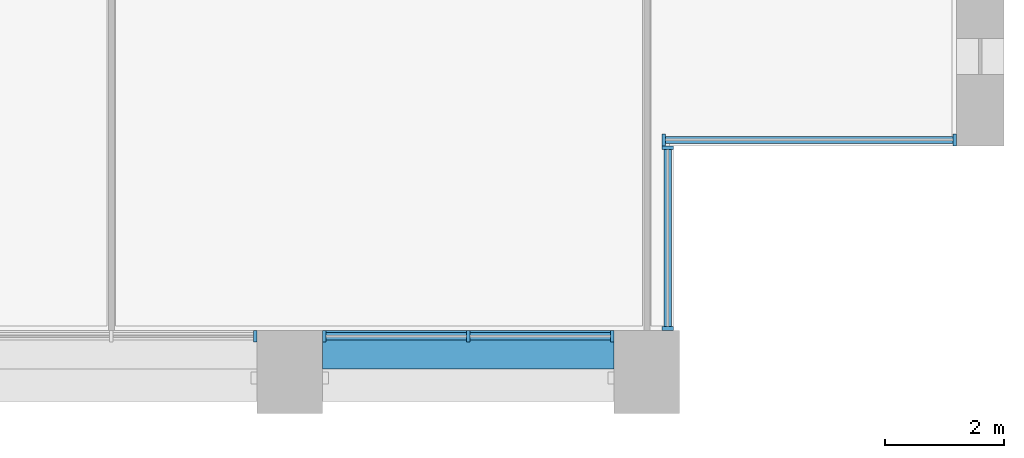
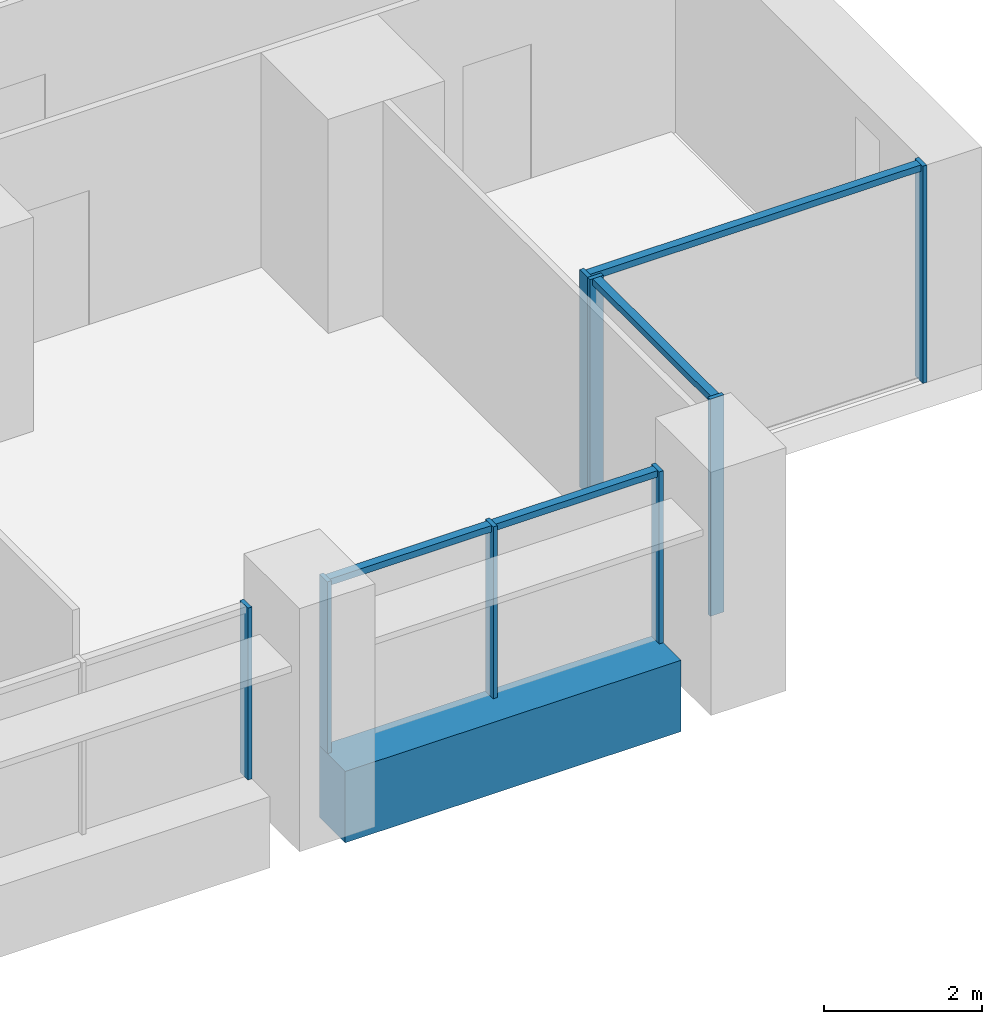
# One storey, part 5 of 18: 12 members, 1 beam, 4 elements without a shape of their own.
"""IFC4 building model written with IfcOpenShell, lengths in metres."""

from ifc_helpers import new_model, si_unit, direction, frame, origin, origin_2d, place, context, subcontext, project, spatial, rectangle, extrude, material, material_profile, profile_set, type_object, element, aggregate, save


model = new_model("IFC4")

# Units and contexts
model_context = context("Model", 3, precision=1e-05, world=origin(), true_north=direction((0.0, 1.0)))
body_context = subcontext(model_context, "Body", "Model", "MODEL_VIEW")
ifc_project = project(units=[si_unit("LENGTHUNIT", "METRE"), si_unit("AREAUNIT", "SQUARE_METRE"), si_unit("VOLUMEUNIT", "CUBIC_METRE"), si_unit("PLANEANGLEUNIT", "RADIAN"), si_unit("MASSUNIT", "GRAM", prefix="KILO")], contexts=[model_context])

# Site, building, storey
site_placement = place(None, origin())
site = spatial("IfcSite", under=ifc_project, at=site_placement, CompositionType="ELEMENT")
building_placement = place(site_placement, origin())
building = spatial("IfcBuilding", under=site, at=building_placement, Name="Calvaro Tower", CompositionType="ELEMENT")
storey_placement = place(building_placement, frame((0.0, 0.0, 45.0)))
storey = spatial("IfcBuildingStorey", under=building, at=storey_placement, Name="L10", CompositionType="ELEMENT", Elevation=45.0)

# Curtain wall, member
ifc_material_1 = material(Name="Anodised aluminium", Category="aluminium")
curtain_wall_type = type_object("IfcCurtainWallType", Name="Office curtain wall, lower zone", PredefinedType="NOTDEFINED", material=ifc_material_1)
curtain_wall_1_placement = place(storey_placement, origin())
curtain_wall_1 = element("IfcCurtainWall", 1, at=curtain_wall_1_placement, inside=storey, type_object=curtain_wall_type, Name="CW1 south curtain wall", PredefinedType="NOTDEFINED")
ifc_material_2 = material(Name="Anodised aluminium", Category="aluminium")
ifc_material_profile_1 = material_profile(ifc_material_2, rectangle(XDim=0.199951171875, YDim=0.06005859375, at=origin_2d()), Name="Mullion S1 60 x 200")
ifc_profile_set_1 = profile_set([ifc_material_profile_1], Name="Anodised aluminium")
member_type_1 = type_object("IfcMemberType", Name="Mullion S1 60 x 200", PredefinedType="MULLION", material=ifc_profile_set_1)
member_1_placement = place(storey_placement, frame((65.419921875, 1.300048828125, 0.0), z_axis=(0.0, 0.0, 1.0), x_axis=(0.0, 1.0, 0.0)))
member_1 = element("IfcMember", 2, at=member_1_placement, type_object=member_type_1, Name="CW1 mullion 3", PredefinedType="MULLION", context=body_context, shape_type="SweptSolid", body=[
    extrude(rectangle(XDim=0.199951171875, YDim=0.06005859375, at=origin_2d()), origin(), (0.0, 0.0, 1.0), 2.64990234375),
])
aggregate(curtain_wall_1, [member_1])

# Curtain wall, members
curtain_wall_2_placement = place(storey_placement, origin())
curtain_wall_2 = element("IfcCurtainWall", 3, at=curtain_wall_2_placement, inside=storey, type_object=curtain_wall_type, Name="CW1 south curtain wall", PredefinedType="NOTDEFINED")
member_2_placement = place(storey_placement, frame((66.580078125, 1.300048828125, 0.0), z_axis=(0.0, 0.0, 1.0), x_axis=(0.0, 1.0, 0.0)))
member_2 = element("IfcMember", 4, at=member_2_placement, type_object=member_type_1, Name="CW1 mullion 1", PredefinedType="MULLION", context=body_context, shape_type="SweptSolid", body=[
    extrude(rectangle(XDim=0.199951171875, YDim=0.06005859375, at=origin_2d()), origin(), (0.0, 0.0, 1.0), 2.64990234375),
])
member_3_placement = place(storey_placement, frame((69.0, 1.300048828125, 0.0), z_axis=(0.0, 0.0, 1.0), x_axis=(0.0, 1.0, 0.0)))
member_3 = element("IfcMember", 5, at=member_3_placement, type_object=member_type_1, Name="CW1 mullion 2", PredefinedType="MULLION", context=body_context, shape_type="SweptSolid", body=[
    extrude(rectangle(XDim=0.199951171875, YDim=0.06005859375, at=origin_2d()), origin(), (0.0, 0.0, 1.0), 2.64990234375),
])
member_4_placement = place(storey_placement, frame((71.419921875, 1.300048828125, 0.0), z_axis=(0.0, 0.0, 1.0), x_axis=(0.0, 1.0, 0.0)))
member_4 = element("IfcMember", 6, at=member_4_placement, type_object=member_type_1, Name="CW1 mullion 3", PredefinedType="MULLION", context=body_context, shape_type="SweptSolid", body=[
    extrude(rectangle(XDim=0.199951171875, YDim=0.06005859375, at=origin_2d()), origin(), (0.0, 0.0, 1.0), 2.64990234375),
])

curtain_wall_3_placement = place(storey_placement, origin())
curtain_wall_3 = element("IfcCurtainWall", 7, at=curtain_wall_3_placement, inside=storey, type_object=curtain_wall_type, Name="CW1 corner curtain wall", PredefinedType="NOTDEFINED")
member_5_placement = place(storey_placement, frame((72.35009765625, 1.429931640625, 0.0), z_axis=(0.0, 0.0, 1.0), x_axis=(-1.0, 0.0, 0.0)))
member_5 = element("IfcMember", 8, at=member_5_placement, type_object=member_type_1, Name="CW1 mullion 1", PredefinedType="MULLION", context=body_context, shape_type="SweptSolid", body=[
    extrude(rectangle(XDim=0.199951171875, YDim=0.06005859375, at=origin_2d()), origin(), (0.0, 0.0, 1.0), 3.35009765625),
])
member_6_placement = place(storey_placement, frame((72.35009765625, 4.469970703125, 0.0), z_axis=(0.0, 0.0, 1.0), x_axis=(-1.0, 0.0, 0.0)))
member_6 = element("IfcMember", 9, at=member_6_placement, type_object=member_type_1, Name="CW1 mullion 2", PredefinedType="MULLION", context=body_context, shape_type="SweptSolid", body=[
    extrude(rectangle(XDim=0.199951171875, YDim=0.06005859375, at=origin_2d()), origin(), (0.0, 0.0, 1.0), 3.35009765625),
])

curtain_wall_4_placement = place(storey_placement, origin())
curtain_wall_4 = element("IfcCurtainWall", 10, at=curtain_wall_4_placement, inside=storey, type_object=curtain_wall_type, Name="CW1 corner curtain wall", PredefinedType="NOTDEFINED")
member_7_placement = place(storey_placement, frame((72.280029296875, 4.60009765625, 0.0), z_axis=(0.0, 0.0, 1.0), x_axis=(0.0, 1.0, 0.0)))
member_7 = element("IfcMember", 11, at=member_7_placement, type_object=member_type_1, Name="CW1 mullion 1", PredefinedType="MULLION", context=body_context, shape_type="SweptSolid", body=[
    extrude(rectangle(XDim=0.199951171875, YDim=0.06005859375, at=origin_2d()), origin(), (0.0, 0.0, 1.0), 3.35009765625),
])
member_8_placement = place(storey_placement, frame((77.169921875, 4.60009765625, 0.0), z_axis=(0.0, 0.0, 1.0), x_axis=(0.0, 1.0, 0.0)))
member_8 = element("IfcMember", 12, at=member_8_placement, type_object=member_type_1, Name="CW1 mullion 2", PredefinedType="MULLION", context=body_context, shape_type="SweptSolid", body=[
    extrude(rectangle(XDim=0.199951171875, YDim=0.06005859375, at=origin_2d()), origin(), (0.0, 0.0, 1.0), 3.35009765625),
])

# Beam
ifc_material_3 = material(Name="Concrete C50/60 precast", Category="concrete")
ifc_material_profile_2 = material_profile(ifc_material_3, rectangle(XDim=0.64990234375, YDim=1.10009765625, at=origin_2d()), Name="RC 650x1100")
ifc_profile_set_2 = profile_set([ifc_material_profile_2], Name="Concrete C50/60 precast")
beam_type = type_object("IfcBeamType", Name="Spandrel beam 650x1100 C50/60", PredefinedType="SPANDREL", material=ifc_profile_set_2)
beam_placement = place(storey_placement, frame((66.550048828125, 1.074951171875, -0.550048828125), z_axis=(1.0, 0.0, 0.0), x_axis=(0.0, 1.0, 0.0)))
element("IfcBeam", 13, at=beam_placement, inside=storey, type_object=beam_type, Name="Spandrel beam", PredefinedType="SPANDREL", context=body_context, shape_type="SweptSolid", body=[
    extrude(rectangle(XDim=0.64990234375, YDim=1.10009765625, at=origin_2d()), origin(), (0.0, 0.0, 1.0), 4.89990234375),
])

# Member
ifc_material_4 = material(Name="Anodised aluminium", Category="aluminium")
ifc_material_profile_3 = material_profile(ifc_material_4, rectangle(XDim=0.1201171875, YDim=0.10009765625, at=origin_2d()), Name="Transom S1 100 x 120")
ifc_profile_set_3 = profile_set([ifc_material_profile_3], Name="Anodised aluminium")
member_type_2 = type_object("IfcMemberType", Name="Transom S1 100 x 120", PredefinedType="USERDEFINED", material=ifc_profile_set_3)
member_9_placement = place(storey_placement, frame((66.610107421875, 1.300048828125, 2.60009765625), z_axis=(1.0, 0.0, 0.0), x_axis=(0.0, 1.0, 0.0)))
member_9 = element("IfcMember", 14, at=member_9_placement, type_object=member_type_2, Name="CW1 transom 1.1", ObjectType="TRANSOM", PredefinedType="USERDEFINED", context=body_context, shape_type="SweptSolid", body=[
    extrude(rectangle(XDim=0.1201171875, YDim=0.10009765625, at=origin_2d()), origin(), (0.0, 0.0, 1.0), 2.35986328125),
])

member_10_placement = place(storey_placement, frame((69.030029296875, 1.300048828125, 2.60009765625), z_axis=(1.0, 0.0, 0.0), x_axis=(0.0, 1.0, 0.0)))
member_10 = element("IfcMember", 15, at=member_10_placement, type_object=member_type_2, Name="CW1 transom 2.1", ObjectType="TRANSOM", PredefinedType="USERDEFINED", context=body_context, shape_type="SweptSolid", body=[
    extrude(rectangle(XDim=0.1201171875, YDim=0.10009765625, at=origin_2d()), origin(), (0.0, 0.0, 1.0), 2.35986328125),
])

aggregate(curtain_wall_2, [member_2, member_3, member_4, member_9, member_10])

member_11_placement = place(storey_placement, frame((72.35009765625, 1.4599609375, 3.300048828125), z_axis=(0.0, 1.0, 0.0), x_axis=(-1.0, 0.0, 0.0)))
member_11 = element("IfcMember", 16, at=member_11_placement, type_object=member_type_2, Name="CW1 transom 1.1", ObjectType="TRANSOM", PredefinedType="USERDEFINED", context=body_context, shape_type="SweptSolid", body=[
    extrude(rectangle(XDim=0.1201171875, YDim=0.10009765625, at=origin_2d()), origin(), (0.0, 0.0, 1.0), 2.97998046875),
])

aggregate(curtain_wall_3, [member_5, member_6, member_11])

member_12_placement = place(storey_placement, frame((72.31005859375, 4.60009765625, 3.300048828125), z_axis=(1.0, 0.0, 0.0), x_axis=(0.0, 1.0, 0.0)))
member_12 = element("IfcMember", 17, at=member_12_placement, type_object=member_type_2, Name="CW1 transom 1.1", ObjectType="TRANSOM", PredefinedType="USERDEFINED", context=body_context, shape_type="SweptSolid", body=[
    extrude(rectangle(XDim=0.1201171875, YDim=0.10009765625, at=origin_2d()), origin(), (0.0, 0.0, 1.0), 4.829833984375),
])

aggregate(curtain_wall_4, [member_7, member_8, member_12])

save(model, "model.ifc")
